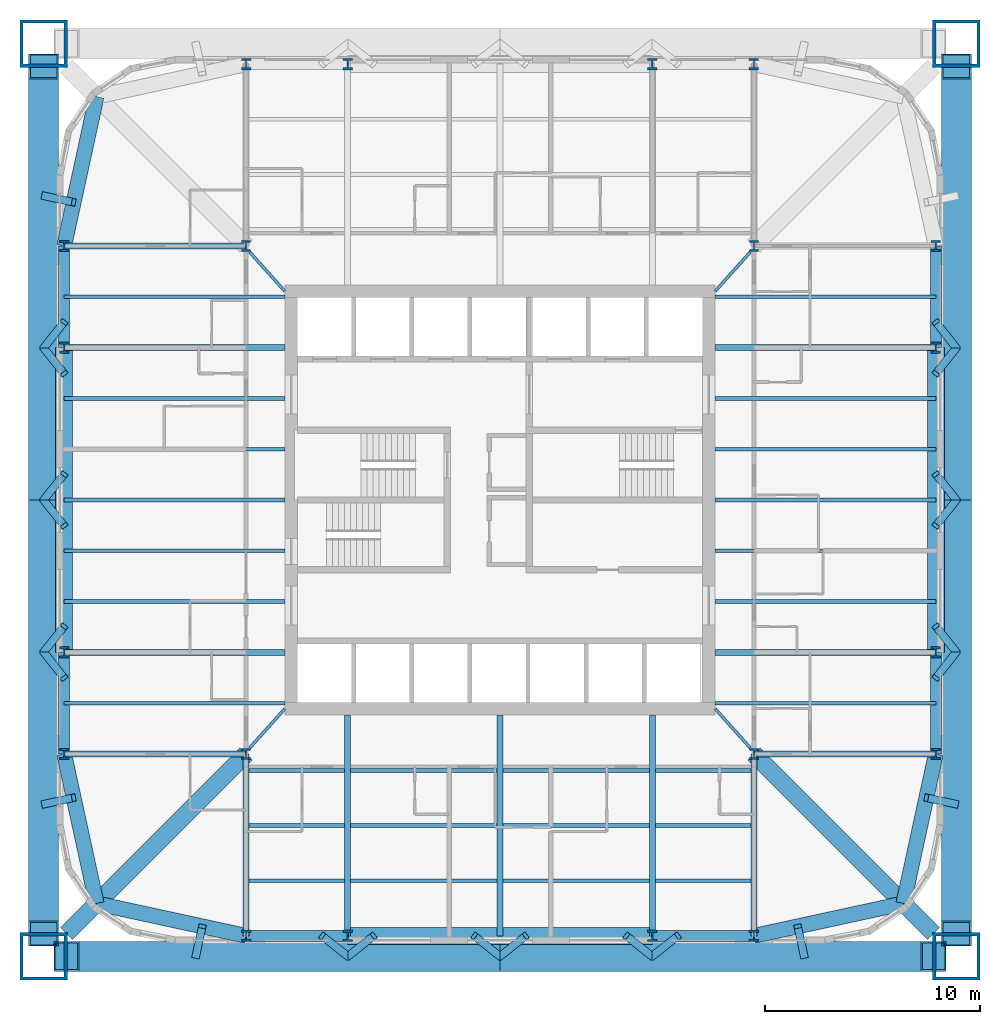
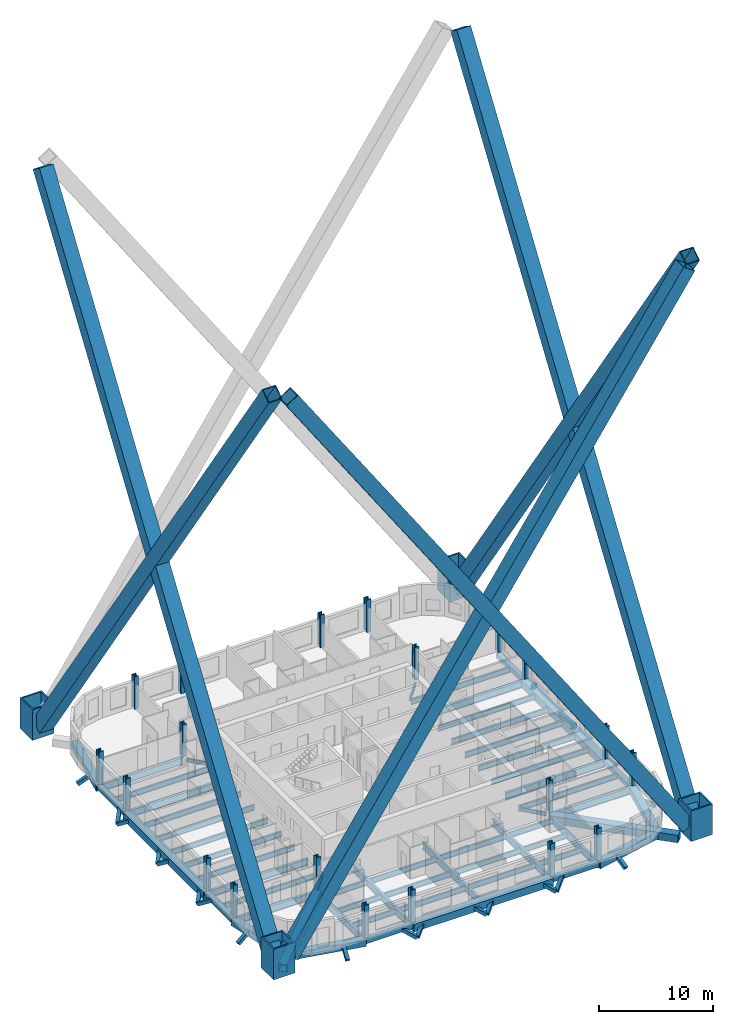
# One storey, part 1 of 9: 81 beams, 24 columns, 6 members.
"""IFC4 building model written with IfcOpenShell, lengths in metres."""

import ifcopenshell
import ifcopenshell.guid

model = None  # the IFC model being written
_history = None  # IfcOwnerHistory: only IFC2X3 demands one
_inside = {}  # id of a spatial element -> (the spatial element, [elements in it])
_under = {}  # id of a project, library or spatial element -> (it, [spatial elements below it])
_declared = {}  # id of a project -> (the project, [libraries it declares])
_typed = {}  # id of a type object -> (the type object, [elements of that type])
_made_of = {}  # id of a material, layer set ... -> (it, [elements and type objects made of it])


def new_model(schema):
    """Start an empty IFC model of exactly this schema.

    Asked for "IFC4X3", IfcOpenShell would pick the latest addendum, in which some entities
    have other attributes; the version numbers below select the first issue.
    IFC2X3 requires an IfcOwnerHistory on every rooted entity: one is made here for all.
    """
    global model, _history
    if schema == "IFC4X3":
        model = ifcopenshell.file(schema_version=(4, 3, 0, 0))
    else:
        model = ifcopenshell.file(schema=schema)
    _inside.clear()
    _under.clear()
    _declared.clear()
    _typed.clear()
    _made_of.clear()
    _history = None
    if model.schema == "IFC2X3":
        org = make("IfcOrganization", Name="unknown")
        user = make(
            "IfcPersonAndOrganization",
            ThePerson=make("IfcPerson", FamilyName="unknown"),
            TheOrganization=org,
        )
        app = make(
            "IfcApplication",
            ApplicationDeveloper=org,
            Version="unknown",
            ApplicationFullName="unknown",
            ApplicationIdentifier="unknown",
        )
        _history = make(
            "IfcOwnerHistory",
            OwningUser=user,
            OwningApplication=app,
            ChangeAction="ADDED",
            CreationDate=0,
        )
    return model


def make(cls, **values):
    """One entity of the class cls with the attributes given. An attribute that is None is left unset."""
    return model.create_entity(
        cls, **{name: value for name, value in values.items() if value is not None}
    )


def rooted(cls, **values):
    """An entity with a GlobalId (a new one), such as an element, a storey or a relation."""
    return make(cls, GlobalId=ifcopenshell.guid.new(), OwnerHistory=_history, **values)


def si_unit(unit_type, name, prefix=None):
    """IfcSIUnit, for example si_unit("LENGTHUNIT", "METRE", prefix="MILLI")."""
    return make("IfcSIUnit", UnitType=unit_type, Prefix=prefix, Name=name)


def assignment(units):
    """IfcUnitAssignment: the units of a project."""
    return None if units is None else make("IfcUnitAssignment", Units=units)


def point(xyz):
    """IfcCartesianPoint."""
    return None if xyz is None else make("IfcCartesianPoint", Coordinates=xyz)


def direction(xyz):
    """IfcDirection."""
    return None if xyz is None else make("IfcDirection", DirectionRatios=xyz)


def frame(location, z_axis=None, x_axis=None):
    """IfcAxis2Placement3D, a coordinate frame: its origin and axes. An axis left out is left unset."""
    return make(
        "IfcAxis2Placement3D",
        Location=point(location),
        Axis=direction(z_axis),
        RefDirection=direction(x_axis),
    )


def frame_2d(location, x_axis=None):
    """IfcAxis2Placement2D, a coordinate frame in the plane: its origin and x axis."""
    return make(
        "IfcAxis2Placement2D", Location=point(location), RefDirection=direction(x_axis)
    )


def origin():
    """The frame at (0, 0, 0) with its axes left unset."""
    return frame((0.0, 0.0, 0.0))


def origin_2d():
    """The frame at (0, 0) in the plane with its x axis left unset."""
    return frame_2d((0.0, 0.0))


def place(relative_to, where):
    """IfcLocalPlacement: puts the frame where relative to a parent placement (None: the world)."""
    return make(
        "IfcLocalPlacement", PlacementRelTo=relative_to, RelativePlacement=where
    )


def context(
    kind, dimensions, precision=None, world=None, true_north=None, identifier=None
):
    """IfcGeometricRepresentationContext, for example the 3D "Model" context."""
    return make(
        "IfcGeometricRepresentationContext",
        ContextIdentifier=identifier,
        ContextType=kind,
        CoordinateSpaceDimension=dimensions,
        Precision=precision,
        WorldCoordinateSystem=world,
        TrueNorth=true_north,
    )


def subcontext(parent, identifier, kind, view, scale=None):
    """IfcGeometricRepresentationSubContext, for example "Body" below "Model"."""
    return make(
        "IfcGeometricRepresentationSubContext",
        ContextIdentifier=identifier,
        ContextType=kind,
        ParentContext=parent,
        TargetScale=scale,
        TargetView=view,
    )


def project(units=None, contexts=None):
    """IfcProject with its units and contexts."""
    return rooted(
        "IfcProject",
        Name="project",
        RepresentationContexts=contexts,
        UnitsInContext=assignment(units),
    )


def spatial(cls, under=None, at=None, **own):
    """A site, building, storey or space (cls), placed at a placement, below another one or the project."""
    s = rooted(cls, ObjectPlacement=at, **own)
    if under is not None:
        _under.setdefault(under.id(), (under, []))[1].append(s)
    return s


def profile(cls, at=None, kind="AREA", **sizes):
    """A parametric profile (cls). Its sizes go by their IFC names, for example OverallWidth=200.0."""
    return make(cls, ProfileType=kind, Position=at, **sizes)


def hollow_rectangle(**sizes):
    """IfcRectangleHollowProfileDef."""
    return profile("IfcRectangleHollowProfileDef", **sizes)


def i_section(**sizes):
    """IfcIShapeProfileDef."""
    return profile("IfcIShapeProfileDef", **sizes)


def extrude(swept, where, along, depth):
    """IfcExtrudedAreaSolid: the profile swept, set in the frame where, extruded along a direction by depth."""
    return make(
        "IfcExtrudedAreaSolid",
        SweptArea=swept,
        Position=where,
        ExtrudedDirection=direction(along),
        Depth=depth,
    )


def clip(a, b, op="DIFFERENCE"):
    """IfcBooleanClippingResult: the solid a cut by the half space b."""
    return make(
        "IfcBooleanClippingResult", Operator=op, FirstOperand=a, SecondOperand=b
    )


def halfspace(plane, agree):
    """IfcHalfSpaceSolid: all space on one side of the plane z = 0 of the frame plane."""
    return make(
        "IfcHalfSpaceSolid",
        BaseSurface=make("IfcPlane", Position=plane),
        AgreementFlag=agree,
    )


def shape(context_of_items, identifier, shape_type, items):
    """IfcShapeRepresentation: the items that make up one representation, for example the "Body"."""
    return make(
        "IfcShapeRepresentation",
        ContextOfItems=context_of_items,
        RepresentationIdentifier=identifier,
        RepresentationType=shape_type,
        Items=items,
    )


def material(Name=None, Category=None):
    """IfcMaterial."""
    return make("IfcMaterial", Name=Name, Category=Category)


def material_profile(
    of_material, cross_section, Name=None, Category=None, Priority=None
):
    """IfcMaterialProfile: a cross section and its material."""
    return make(
        "IfcMaterialProfile",
        Name=Name,
        Material=of_material,
        Profile=cross_section,
        Priority=Priority,
        Category=Category,
    )


def profile_set(profiles, Name=None, composite=None):
    """IfcMaterialProfileSet."""
    return make(
        "IfcMaterialProfileSet",
        Name=Name,
        MaterialProfiles=profiles,
        CompositeProfile=composite,
    )


def made_of(thing, what):
    """Note that an element or type object is made of a material, layer set ...; save() writes the relation."""
    if what is not None:
        _made_of.setdefault(what.id(), (what, []))[1].append(thing)
    return thing


def type_object(cls, material=None, **own):
    """A type object (cls), such as IfcWallType, which elements share."""
    return made_of(rooted(cls, **own), material)


def element(
    cls,
    number,
    at=None,
    inside=None,
    cuts=None,
    type_object=None,
    material=None,
    context=None,
    identifier="Body",
    shape_type=None,
    held_by="IfcProductDefinitionShape",
    body=None,
    shapes=None,
    **own,
):
    """One element of the class cls, such as IfcWall. Its Tag is "e" and its number.

    at: its placement. inside: the storey or other place that contains it. cuts: it is an
    opening in that element (IfcRelVoidsElement). A single representation is given by context,
    identifier, shape_type and body (its items); several are given by shapes. held_by: the class
    of the entity that holds the representations. save() writes the other relations.
    """
    e = rooted(cls, Tag="e%d" % number, ObjectPlacement=at, **own)
    if body is not None:
        shapes = [shape(context, identifier, shape_type, body)]
    if shapes is not None:
        e.Representation = make(held_by, Representations=shapes)
    if inside is not None:
        _inside.setdefault(inside.id(), (inside, []))[1].append(e)
    if cuts is not None:
        rooted(
            "IfcRelVoidsElement", RelatingBuildingElement=cuts, RelatedOpeningElement=e
        )
    if type_object is not None:
        _typed.setdefault(type_object.id(), (type_object, []))[1].append(e)
    return made_of(e, material)


def aggregate(whole, parts):
    """IfcRelAggregates: a whole, such as a stair, and the parts it consists of."""
    return rooted("IfcRelAggregates", RelatingObject=whole, RelatedObjects=parts)


def save(model, path):
    """Write the relations noted so far, then the file.

    IfcRelAggregates (storeys below a building ...), IfcRelContainedInSpatialStructure (elements
    in a storey), IfcRelDefinesByType, IfcRelAssociatesMaterial and IfcRelDeclares: one each for
    every whole, place, type object, material and project.
    """
    for whole, parts in _under.values():
        aggregate(whole, parts)
    for where, things in _inside.values():
        rooted(
            "IfcRelContainedInSpatialStructure",
            RelatedElements=things,
            RelatingStructure=where,
        )
    for kind, things in _typed.values():
        rooted("IfcRelDefinesByType", RelatedObjects=things, RelatingType=kind)
    for what, things in _made_of.values():
        rooted("IfcRelAssociatesMaterial", RelatedObjects=things, RelatingMaterial=what)
    for by, libraries in _declared.values():
        rooted("IfcRelDeclares", RelatingContext=by, RelatedDefinitions=libraries)
    model.write(path)


model = new_model("IFC4")

# Units and contexts
model_context = context("Model", 3, precision=1e-05, world=origin(), true_north=direction((0.0, 1.0)))
body_context = subcontext(model_context, "Body", "Model", "MODEL_VIEW")
ifc_project = project(units=[si_unit("LENGTHUNIT", "METRE"), si_unit("AREAUNIT", "SQUARE_METRE"), si_unit("VOLUMEUNIT", "CUBIC_METRE"), si_unit("PLANEANGLEUNIT", "RADIAN"), si_unit("MASSUNIT", "GRAM", prefix="KILO")], contexts=[model_context])

# Site, building, storey
site_placement = place(None, origin())
site = spatial("IfcSite", under=ifc_project, at=site_placement, CompositionType="ELEMENT")
building_placement = place(site_placement, origin())
building = spatial("IfcBuilding", under=site, at=building_placement, Name="Turquesa Mirador Hotel Tower", CompositionType="ELEMENT")
storey_placement = place(building_placement, frame((0.0, 0.0, 93.39990234375)))
storey = spatial("IfcBuildingStorey", under=building, at=storey_placement, Name="L24", CompositionType="ELEMENT", Elevation=93.39990234375)

# Columns
ifc_material_1 = material(Name="Steel ASTM A992 Grade 50", Category="steel")
ifc_material_profile_1 = material_profile(ifc_material_1, i_section(OverallWidth=0.431884765625, OverallDepth=0.497802734375, WebThickness=0.0556640625, FlangeThickness=0.0888671875, at=origin_2d()), Name="W14X500")
ifc_profile_set_1 = profile_set([ifc_material_profile_1], Name="Steel ASTM A992 Grade 50")
column_type_1 = type_object("IfcColumnType", Name="COLUMN W14X500", PredefinedType="COLUMN", material=ifc_profile_set_1)
for number, where, z_axis, x_axis, name in (
    (1, (43.199951171875, 33.199951171875, 0.0), (0.0, 0.0, 1.0), (1.0, 0.0, 0.0), "COL-L24-K--11.80--11.80"),
    (2, (43.199951171875, 56.800048828125, 0.0), (0.0, 0.0, 1.0), (1.0, 0.0, 0.0), "COL-L24-K--11.80-+11.80"),
    (3, (66.800048828125, 33.199951171875, 0.0), (0.0, 0.0, 1.0), (1.0, 0.0, 0.0), "COL-L24-K-+11.80--11.80"),
    (4, (66.800048828125, 56.800048828125, 0.0), (0.0, 0.0, 1.0), (1.0, 0.0, 0.0), "COL-L24-K-+11.80-+11.80"),
):
    element("IfcColumn", number, at=place(storey_placement, frame(where, z_axis=z_axis, x_axis=x_axis)), inside=storey, type_object=column_type_1, Name=name, PredefinedType="COLUMN", context=body_context, shape_type="SweptSolid", body=[
        extrude(i_section(OverallWidth=0.431884765625, OverallDepth=0.497802734375, WebThickness=0.0556640625, FlangeThickness=0.0888671875, at=origin_2d()), origin(), (0.0, 0.0, 1.0), 3.5),
    ])
ifc_material_2 = material(Name="Steel ASTM A992 Grade 50", Category="steel")
ifc_material_profile_2 = material_profile(ifc_material_2, i_section(OverallWidth=0.44189453125, OverallDepth=0.53076171875, WebThickness=0.06591796875, FlangeThickness=0.105712890625, at=origin_2d()), Name="W14X605")
ifc_profile_set_2 = profile_set([ifc_material_profile_2], Name="Steel ASTM A992 Grade 50")
column_type_2 = type_object("IfcColumnType", Name="COLUMN W14X605", PredefinedType="COLUMN", material=ifc_profile_set_2)
for number, where, z_axis, x_axis, name in (
    (5, (34.75, 33.199951171875, 0.0), (0.0, 0.0, 1.0), (1.0, 0.0, 0.0), "COL-L24-P--20.25--11.80"),
    (6, (34.75, 37.919921875, 0.0), (0.0, 0.0, 1.0), (1.0, 0.0, 0.0), "COL-L24-P--20.25--7.08"),
    (7, (34.75, 52.080078125, 0.0), (0.0, 0.0, 1.0), (1.0, 0.0, 0.0), "COL-L24-P--20.25-+7.08"),
    (8, (34.75, 56.800048828125, 0.0), (0.0, 0.0, 1.0), (1.0, 0.0, 0.0), "COL-L24-P--20.25-+11.80"),
    (9, (43.199951171875, 24.75, 0.0), (0.0, 0.0, 1.0), (1.0, 0.0, 0.0), "COL-L24-P--11.80--20.25"),
    (10, (43.199951171875, 65.25, 0.0), (0.0, 0.0, 1.0), (1.0, 0.0, 0.0), "COL-L24-P--11.80-+20.25"),
    (11, (47.919921875, 24.75, 0.0), (0.0, 0.0, 1.0), (1.0, 0.0, 0.0), "COL-L24-P--7.08--20.25"),
    (12, (47.919921875, 65.25, 0.0), (0.0, 0.0, 1.0), (1.0, 0.0, 0.0), "COL-L24-P--7.08-+20.25"),
    (13, (62.080078125, 24.75, 0.0), (0.0, 0.0, 1.0), (1.0, 0.0, 0.0), "COL-L24-P-+7.08--20.25"),
    (14, (62.080078125, 65.25, 0.0), (0.0, 0.0, 1.0), (1.0, 0.0, 0.0), "COL-L24-P-+7.08-+20.25"),
    (15, (66.800048828125, 24.75, 0.0), (0.0, 0.0, 1.0), (1.0, 0.0, 0.0), "COL-L24-P-+11.80--20.25"),
    (16, (66.800048828125, 65.25, 0.0), (0.0, 0.0, 1.0), (1.0, 0.0, 0.0), "COL-L24-P-+11.80-+20.25"),
    (17, (75.25, 33.199951171875, 0.0), (0.0, 0.0, 1.0), (1.0, 0.0, 0.0), "COL-L24-P-+20.25--11.80"),
    (18, (75.25, 37.919921875, 0.0), (0.0, 0.0, 1.0), (1.0, 0.0, 0.0), "COL-L24-P-+20.25--7.08"),
    (19, (75.25, 52.080078125, 0.0), (0.0, 0.0, 1.0), (1.0, 0.0, 0.0), "COL-L24-P-+20.25-+7.08"),
    (20, (75.25, 56.800048828125, 0.0), (0.0, 0.0, 1.0), (1.0, 0.0, 0.0), "COL-L24-P-+20.25-+11.80"),
):
    element("IfcColumn", number, at=place(storey_placement, frame(where, z_axis=z_axis, x_axis=x_axis)), inside=storey, type_object=column_type_2, Name=name, PredefinedType="COLUMN", context=body_context, shape_type="SweptSolid", body=[
        extrude(i_section(OverallWidth=0.44189453125, OverallDepth=0.53076171875, WebThickness=0.06591796875, FlangeThickness=0.105712890625, at=origin_2d()), origin(), (0.0, 0.0, 1.0), 3.5),
    ])
ifc_material_3 = material(Name="Steel ASTM A514 Grade Q", Category="steel")
ifc_material_profile_3 = material_profile(ifc_material_3, hollow_rectangle(XDim=2.199951171875, YDim=2.199951171875, WallThickness=0.14990234375, at=origin_2d()), Name="BOX2200X2200X150")
ifc_profile_set_3 = profile_set([ifc_material_profile_3], Name="Steel ASTM A514 Grade Q")
column_type_3 = type_object("IfcColumnType", Name="MEGA COLUMN BOX2200X2200X150", PredefinedType="COLUMN", material=ifc_profile_set_3)
for number, where, z_axis, x_axis, name in (
    (21, (76.199951171875, 66.199951171875, 0.0), (0.0, 0.0, 1.0), (1.0, 0.0, 0.0), "Mega column M1"),
    (22, (33.800048828125, 66.199951171875, 0.0), (0.0, 0.0, 1.0), (1.0, 0.0, 0.0), "Mega column M2"),
    (23, (33.800048828125, 23.800048828125, 0.0), (0.0, 0.0, 1.0), (1.0, 0.0, 0.0), "Mega column M3"),
    (24, (76.199951171875, 23.800048828125, 0.0), (0.0, 0.0, 1.0), (1.0, 0.0, 0.0), "Mega column M4"),
):
    element("IfcColumn", number, at=place(storey_placement, frame(where, z_axis=z_axis, x_axis=x_axis)), inside=storey, type_object=column_type_3, Name=name, PredefinedType="COLUMN", context=body_context, shape_type="Clipping", body=[
        clip(extrude(hollow_rectangle(XDim=2.199951171875, YDim=2.199951171875, WallThickness=0.14990234375, at=origin_2d()), origin(), (0.0, 0.0, 1.0), 3.5), halfspace(frame((0.0, 0.0, 0.215576171875), z_axis=(0.0, 0.0, -1.0), x_axis=(1.0, 0.0, 0.0)), False)),
    ])

# Beams
ifc_material_4 = material(Name="Steel ASTM A572 Grade 50", Category="steel")
ifc_material_profile_4 = material_profile(ifc_material_4, hollow_rectangle(XDim=0.5, YDim=0.5, WallThickness=0.031982421875, at=origin_2d()), Name="BOX500X500X32")
ifc_profile_set_4 = profile_set([ifc_material_profile_4], Name="Steel ASTM A572 Grade 50")
beam_type_1 = type_object("IfcBeamType", Name="BEAM BOX500X500X32", PredefinedType="BEAM", material=ifc_profile_set_4)
for number, where, z_axis, x_axis, name in (
    (25, (43.199951171875, 24.75, -0.419921875), (1.0, 0.0, 0.0), (0.0, 1.0, 0.0), "EB-L24-S-L"),
    (26, (62.080078125, 24.75, -0.419921875), (1.0, 0.0, 0.0), (0.0, 1.0, 0.0), "EB-L24-S-R"),
    (27, (75.25, 33.199951171875, -0.419921875), (0.0, 1.0, 0.0), (-1.0, 0.0, 0.0), "EB-L24-E-L"),
    (28, (75.25, 52.080078125, -0.419921875), (0.0, 1.0, 0.0), (-1.0, 0.0, 0.0), "EB-L24-E-R"),
    (29, (34.75, 33.199951171875, -0.419921875), (0.0, 1.0, 0.0), (-1.0, 0.0, 0.0), "EB-L24-W-L"),
    (30, (34.75, 52.080078125, -0.419921875), (0.0, 1.0, 0.0), (-1.0, 0.0, 0.0), "EB-L24-W-R"),
):
    element("IfcBeam", number, at=place(storey_placement, frame(where, z_axis=z_axis, x_axis=x_axis)), inside=storey, type_object=beam_type_1, Name=name, PredefinedType="BEAM", context=body_context, shape_type="SweptSolid", body=[
        extrude(hollow_rectangle(XDim=0.5, YDim=0.5, WallThickness=0.031982421875, at=origin_2d()), origin(), (0.0, 0.0, 1.0), 4.719970703125),
    ])
ifc_material_5 = material(Name="Steel ASTM A572 Grade 50", Category="steel")
ifc_material_profile_5 = material_profile(ifc_material_5, hollow_rectangle(XDim=0.699951171875, YDim=0.699951171875, WallThickness=0.044921875, at=origin_2d()), Name="BOX700X700X45")
ifc_profile_set_5 = profile_set([ifc_material_profile_5], Name="Steel ASTM A572 Grade 50")
beam_type_2 = type_object("IfcBeamType", Name="BEAM BOX700X700X45", PredefinedType="BEAM", material=ifc_profile_set_5)
for number, where, z_axis, x_axis, name in (
    (31, (34.75, 56.800048828125, -0.52001953125), (0.212328336885, 0.977198381781, 0.0), (-0.977198381781, 0.212328336885, 0.0), "KE-L24-2-0"),
    (32, (34.75, 33.199951171875, -0.52001953125), (0.212328336885, -0.977198381781, 0.0), (0.977198381781, 0.212328336885, 0.0), "KE-L24-3-0"),
    (33, (36.25830078125, 26.25830078125, -0.52001953125), (0.977198381781, -0.212328336885, 0.0), (0.212328336885, 0.977198381781, 0.0), "KE-L24-3-1"),
    (34, (75.25, 33.199951171875, -0.52001953125), (-0.212328336885, -0.977198381781, 0.0), (0.977198381781, -0.212328336885, 0.0), "KE-L24-4-0"),
    (35, (73.74169921875, 26.25830078125, -0.52001953125), (-0.977198381781, -0.212328336885, 0.0), (0.212328336885, -0.977198381781, 0.0), "KE-L24-4-1"),
):
    element("IfcBeam", number, at=place(storey_placement, frame(where, z_axis=z_axis, x_axis=x_axis)), inside=storey, type_object=beam_type_2, Name=name, PredefinedType="BEAM", context=body_context, shape_type="SweptSolid", body=[
        extrude(hollow_rectangle(XDim=0.699951171875, YDim=0.699951171875, WallThickness=0.044921875, at=origin_2d()), origin(), (0.0, 0.0, 1.0), 7.103515625),
    ])
ifc_material_6 = material(Name="Steel ASTM A572 Grade 50", Category="steel")
ifc_material_profile_6 = material_profile(ifc_material_6, hollow_rectangle(XDim=0.800048828125, YDim=0.800048828125, WallThickness=0.030029296875, at=origin_2d()), Name="BOX800X800X30")
ifc_profile_set_6 = profile_set([ifc_material_profile_6], Name="Steel ASTM A572 Grade 50")
beam_type_3 = type_object("IfcBeamType", Name="BEAM BOX800X800X30", PredefinedType="BEAM", material=ifc_profile_set_6)
for number, where, z_axis, x_axis, name in (
    (36, (47.919921875, 24.75, -0.56982421875), (1.0, 0.0, 0.0), (0.0, 1.0, 0.0), "EB-L24-S-C"),
    (37, (75.25, 37.919921875, -0.56982421875), (0.0, 1.0, 0.0), (-1.0, 0.0, 0.0), "EB-L24-E-C"),
    (38, (34.75, 37.919921875, -0.56982421875), (0.0, 1.0, 0.0), (-1.0, 0.0, 0.0), "EB-L24-W-C"),
):
    element("IfcBeam", number, at=place(storey_placement, frame(where, z_axis=z_axis, x_axis=x_axis)), inside=storey, type_object=beam_type_3, Name=name, PredefinedType="BEAM", context=body_context, shape_type="SweptSolid", body=[
        extrude(hollow_rectangle(XDim=0.800048828125, YDim=0.800048828125, WallThickness=0.030029296875, at=origin_2d()), origin(), (0.0, 0.0, 1.0), 14.16015625),
    ])
ifc_material_7 = material(Name="Steel ASTM A572 Grade 50", Category="steel")
ifc_material_profile_7 = material_profile(ifc_material_7, hollow_rectangle(XDim=0.800048828125, YDim=0.800048828125, WallThickness=0.050048828125, at=origin_2d()), Name="BOX800X800X50")
ifc_profile_set_7 = profile_set([ifc_material_profile_7], Name="Steel ASTM A572 Grade 50")
beam_type_4 = type_object("IfcBeamType", Name="BEAM BOX800X800X50", PredefinedType="BEAM", material=ifc_profile_set_7)
for number, where, z_axis, x_axis, name in (
    (39, (43.199951171875, 33.199951171875, -0.56982421875), (-0.707106781187, -0.707106781187, 0.0), (0.707106781187, -0.707106781187, 0.0), "KD-L24-3"),
    (40, (66.800048828125, 33.199951171875, -0.56982421875), (0.707106781187, -0.707106781187, 0.0), (0.707106781187, 0.707106781187, 0.0), "KD-L24-4"),
):
    element("IfcBeam", number, at=place(storey_placement, frame(where, z_axis=z_axis, x_axis=x_axis)), inside=storey, type_object=beam_type_4, Name=name, PredefinedType="BEAM", context=body_context, shape_type="SweptSolid", body=[
        extrude(hollow_rectangle(XDim=0.800048828125, YDim=0.800048828125, WallThickness=0.050048828125, at=origin_2d()), origin(), (0.0, 0.0, 1.0), 11.80859375),
    ])
ifc_material_8 = material(Name="Steel ASTM A992 Grade 50", Category="steel")
ifc_material_profile_8 = material_profile(ifc_material_8, i_section(OverallWidth=0.140380859375, OverallDepth=0.40380859375, WebThickness=0.007080078125, FlangeThickness=0.01123046875, at=origin_2d()), Name="W16X31")
ifc_profile_set_8 = profile_set([ifc_material_profile_8], Name="Steel ASTM A992 Grade 50")
beam_type_5 = type_object("IfcBeamType", Name="BEAM W16X31", PredefinedType="BEAM", material=ifc_profile_set_8)
for number, where, z_axis, x_axis, name in (
    (41, (66.626953125, 56.518310546875, -0.371826171875), (-0.66679485947, -0.745241313525, 0.0), (0.745241313525, -0.66679485947, 0.0), "KT-L24-1"),
    (42, (43.373046875, 56.518310546875, -0.371826171875), (0.66679485947, -0.745241313525, 0.0), (0.745241313525, 0.66679485947, 0.0), "KT-L24-2"),
    (43, (43.373046875, 33.481689453125, -0.371826171875), (0.66679485947, 0.745241313525, 0.0), (-0.745241313525, 0.66679485947, 0.0), "KT-L24-3"),
    (44, (66.626953125, 33.481689453125, -0.371826171875), (-0.66679485947, 0.745241313525, 0.0), (-0.745241313525, -0.66679485947, 0.0), "KT-L24-4"),
):
    element("IfcBeam", number, at=place(storey_placement, frame(where, z_axis=z_axis, x_axis=x_axis)), inside=storey, type_object=beam_type_5, Name=name, PredefinedType="BEAM", context=body_context, shape_type="SweptSolid", body=[
        extrude(i_section(OverallWidth=0.140380859375, OverallDepth=0.40380859375, WebThickness=0.007080078125, FlangeThickness=0.01123046875, at=origin_2d()), origin(), (0.0, 0.0, 1.0), 2.43994140625),
    ])
ifc_material_9 = material(Name="Steel ASTM A992 Grade 50", Category="steel")
ifc_material_profile_9 = material_profile(ifc_material_9, i_section(OverallWidth=0.177978515625, OverallDepth=0.599365234375, WebThickness=0.010009765625, FlangeThickness=0.012939453125, at=origin_2d()), Name="W24X55")
ifc_profile_set_9 = profile_set([ifc_material_profile_9], Name="Steel ASTM A992 Grade 50")
beam_type_6 = type_object("IfcBeamType", Name="BEAM W24X55", PredefinedType="BEAM", material=ifc_profile_set_9)
beam_1_placement = place(storey_placement, frame((43.333251953125, 32.43798828125, -0.4697265625), z_axis=(1.0, 0.0, 0.0), x_axis=(0.0, 1.0, 0.0)))
element("IfcBeam", 45, at=beam_1_placement, inside=storey, type_object=beam_type_6, Name="IB-L24-S-1-0", PredefinedType="BEAM", context=body_context, shape_type="SweptSolid", body=[
    extrude(i_section(OverallWidth=0.177978515625, OverallDepth=0.599365234375, WebThickness=0.010009765625, FlangeThickness=0.012939453125, at=origin_2d()), origin(), (0.0, 0.0, 1.0), 4.453369140625),
])
for number, where, z_axis, x_axis, name in (
    (46, (48.053466796875, 32.43798828125, -0.4697265625), (1.0, 0.0, 0.0), (0.0, 1.0, 0.0), "IB-L24-S-1-1"),
    (47, (55.13330078125, 32.43798828125, -0.4697265625), (1.0, 0.0, 0.0), (0.0, 1.0, 0.0), "IB-L24-S-1-2"),
):
    element("IfcBeam", number, at=place(storey_placement, frame(where, z_axis=z_axis, x_axis=x_axis)), inside=storey, type_object=beam_type_6, Name=name, PredefinedType="BEAM", context=body_context, shape_type="SweptSolid", body=[
        extrude(i_section(OverallWidth=0.177978515625, OverallDepth=0.599365234375, WebThickness=0.010009765625, FlangeThickness=0.012939453125, at=origin_2d()), origin(), (0.0, 0.0, 1.0), 6.813232421875),
    ])
for number, where, z_axis, x_axis, name in (
    (48, (62.21337890625, 32.43798828125, -0.4697265625), (1.0, 0.0, 0.0), (0.0, 1.0, 0.0), "IB-L24-S-1-3"),
    (49, (43.333251953125, 29.875, -0.4697265625), (1.0, 0.0, 0.0), (0.0, 1.0, 0.0), "IB-L24-S-2-0"),
):
    element("IfcBeam", number, at=place(storey_placement, frame(where, z_axis=z_axis, x_axis=x_axis)), inside=storey, type_object=beam_type_6, Name=name, PredefinedType="BEAM", context=body_context, shape_type="SweptSolid", body=[
        extrude(i_section(OverallWidth=0.177978515625, OverallDepth=0.599365234375, WebThickness=0.010009765625, FlangeThickness=0.012939453125, at=origin_2d()), origin(), (0.0, 0.0, 1.0), 4.453369140625),
    ])
for number, where, z_axis, x_axis, name in (
    (50, (48.053466796875, 29.875, -0.4697265625), (1.0, 0.0, 0.0), (0.0, 1.0, 0.0), "IB-L24-S-2-1"),
    (51, (55.13330078125, 29.875, -0.4697265625), (1.0, 0.0, 0.0), (0.0, 1.0, 0.0), "IB-L24-S-2-2"),
):
    element("IfcBeam", number, at=place(storey_placement, frame(where, z_axis=z_axis, x_axis=x_axis)), inside=storey, type_object=beam_type_6, Name=name, PredefinedType="BEAM", context=body_context, shape_type="SweptSolid", body=[
        extrude(i_section(OverallWidth=0.177978515625, OverallDepth=0.599365234375, WebThickness=0.010009765625, FlangeThickness=0.012939453125, at=origin_2d()), origin(), (0.0, 0.0, 1.0), 6.813232421875),
    ])
for number, where, z_axis, x_axis, name in (
    (52, (62.21337890625, 29.875, -0.4697265625), (1.0, 0.0, 0.0), (0.0, 1.0, 0.0), "IB-L24-S-2-3"),
    (53, (43.333251953125, 27.31201171875, -0.4697265625), (1.0, 0.0, 0.0), (0.0, 1.0, 0.0), "IB-L24-S-3-0"),
):
    element("IfcBeam", number, at=place(storey_placement, frame(where, z_axis=z_axis, x_axis=x_axis)), inside=storey, type_object=beam_type_6, Name=name, PredefinedType="BEAM", context=body_context, shape_type="SweptSolid", body=[
        extrude(i_section(OverallWidth=0.177978515625, OverallDepth=0.599365234375, WebThickness=0.010009765625, FlangeThickness=0.012939453125, at=origin_2d()), origin(), (0.0, 0.0, 1.0), 4.453369140625),
    ])
for number, where, z_axis, x_axis, name in (
    (54, (48.053466796875, 27.31201171875, -0.4697265625), (1.0, 0.0, 0.0), (0.0, 1.0, 0.0), "IB-L24-S-3-1"),
    (55, (55.13330078125, 27.31201171875, -0.4697265625), (1.0, 0.0, 0.0), (0.0, 1.0, 0.0), "IB-L24-S-3-2"),
):
    element("IfcBeam", number, at=place(storey_placement, frame(where, z_axis=z_axis, x_axis=x_axis)), inside=storey, type_object=beam_type_6, Name=name, PredefinedType="BEAM", context=body_context, shape_type="SweptSolid", body=[
        extrude(i_section(OverallWidth=0.177978515625, OverallDepth=0.599365234375, WebThickness=0.010009765625, FlangeThickness=0.012939453125, at=origin_2d()), origin(), (0.0, 0.0, 1.0), 6.813232421875),
    ])
beam_2_placement = place(storey_placement, frame((62.21337890625, 27.31201171875, -0.4697265625), z_axis=(1.0, 0.0, 0.0), x_axis=(0.0, 1.0, 0.0)))
element("IfcBeam", 56, at=beam_2_placement, inside=storey, type_object=beam_type_6, Name="IB-L24-S-3-3", PredefinedType="BEAM", context=body_context, shape_type="SweptSolid", body=[
    extrude(i_section(OverallWidth=0.177978515625, OverallDepth=0.599365234375, WebThickness=0.010009765625, FlangeThickness=0.012939453125, at=origin_2d()), origin(), (0.0, 0.0, 1.0), 4.453369140625),
])
for number, where, z_axis, x_axis, name in (
    (57, (75.25, 35.56005859375, -0.4697265625), (-1.0, 0.0, 0.0), (0.0, -1.0, 0.0), "BM-L24-E--9.44"),
    (58, (75.25, 40.280029296875, -0.4697265625), (-1.0, 0.0, 0.0), (0.0, -1.0, 0.0), "BM-L24-E--4.72"),
    (59, (75.25, 42.639892578125, -0.4697265625), (-1.0, 0.0, 0.0), (0.0, -1.0, 0.0), "BM-L24-E--2.36"),
    (60, (75.25, 45.0, -0.4697265625), (-1.0, 0.0, 0.0), (0.0, -1.0, 0.0), "BM-L24-E-+0.00"),
    (61, (75.25, 47.360107421875, -0.4697265625), (-1.0, 0.0, 0.0), (0.0, -1.0, 0.0), "BM-L24-E-+2.36"),
    (62, (75.25, 49.719970703125, -0.4697265625), (-1.0, 0.0, 0.0), (0.0, -1.0, 0.0), "BM-L24-E-+4.72"),
    (63, (75.25, 54.43994140625, -0.4697265625), (-1.0, 0.0, 0.0), (0.0, -1.0, 0.0), "BM-L24-E-+9.44"),
    (64, (34.75, 35.56005859375, -0.4697265625), (1.0, 0.0, 0.0), (0.0, 1.0, 0.0), "BM-L24-W--9.44"),
    (65, (34.75, 40.280029296875, -0.4697265625), (1.0, 0.0, 0.0), (0.0, 1.0, 0.0), "BM-L24-W--4.72"),
    (66, (34.75, 42.639892578125, -0.4697265625), (1.0, 0.0, 0.0), (0.0, 1.0, 0.0), "BM-L24-W--2.36"),
    (67, (34.75, 45.0, -0.4697265625), (1.0, 0.0, 0.0), (0.0, 1.0, 0.0), "BM-L24-W-+0.00"),
    (68, (34.75, 47.360107421875, -0.4697265625), (1.0, 0.0, 0.0), (0.0, 1.0, 0.0), "BM-L24-W-+2.36"),
    (69, (34.75, 49.719970703125, -0.4697265625), (1.0, 0.0, 0.0), (0.0, 1.0, 0.0), "BM-L24-W-+4.72"),
    (70, (34.75, 54.43994140625, -0.4697265625), (1.0, 0.0, 0.0), (0.0, 1.0, 0.0), "BM-L24-W-+9.44"),
):
    element("IfcBeam", number, at=place(storey_placement, frame(where, z_axis=z_axis, x_axis=x_axis)), inside=storey, type_object=beam_type_6, Name=name, PredefinedType="BEAM", context=body_context, shape_type="SweptSolid", body=[
        extrude(i_section(OverallWidth=0.177978515625, OverallDepth=0.599365234375, WebThickness=0.010009765625, FlangeThickness=0.012939453125, at=origin_2d()), origin(), (0.0, 0.0, 1.0), 10.25),
    ])
ifc_material_10 = material(Name="Steel ASTM A992 Grade 50", Category="steel")
ifc_material_profile_10 = material_profile(ifc_material_10, i_section(OverallWidth=0.2666015625, OverallDepth=0.7568359375, WebThickness=0.013916015625, FlangeThickness=0.019287109375, at=origin_2d()), Name="W30X108")
ifc_profile_set_10 = profile_set([ifc_material_profile_10], Name="Steel ASTM A992 Grade 50")
beam_type_7 = type_object("IfcBeamType", Name="BEAM W30X108", PredefinedType="BEAM", material=ifc_profile_set_10)
for number, where, z_axis, x_axis, name in (
    (71, (47.919921875, 24.75, -0.54833984375), (0.0, 1.0, 0.0), (-1.0, 0.0, 0.0), "GD-L24-S--7.08"),
    (72, (62.080078125, 24.75, -0.54833984375), (0.0, 1.0, 0.0), (-1.0, 0.0, 0.0), "GD-L24-S-+7.08"),
    (73, (55.0, 24.75, -0.54833984375), (0.0, 1.0, 0.0), (-1.0, 0.0, 0.0), "GD-L24-S-+0.00"),
):
    element("IfcBeam", number, at=place(storey_placement, frame(where, z_axis=z_axis, x_axis=x_axis)), inside=storey, type_object=beam_type_7, Name=name, PredefinedType="BEAM", context=body_context, shape_type="SweptSolid", body=[
        extrude(i_section(OverallWidth=0.2666015625, OverallDepth=0.7568359375, WebThickness=0.013916015625, FlangeThickness=0.019287109375, at=origin_2d()), origin(), (0.0, 0.0, 1.0), 10.25),
    ])
for number, where, z_axis, x_axis, name in (
    (74, (43.199951171875, 24.75, -0.54833984375), (0.0, 1.0, 0.0), (-1.0, 0.0, 0.0), "GK-L24-S--11.80"),
    (75, (66.800048828125, 24.75, -0.54833984375), (0.0, 1.0, 0.0), (-1.0, 0.0, 0.0), "GK-L24-S-+11.80"),
):
    element("IfcBeam", number, at=place(storey_placement, frame(where, z_axis=z_axis, x_axis=x_axis)), inside=storey, type_object=beam_type_7, Name=name, PredefinedType="BEAM", context=body_context, shape_type="SweptSolid", body=[
        extrude(i_section(OverallWidth=0.2666015625, OverallDepth=0.7568359375, WebThickness=0.013916015625, FlangeThickness=0.019287109375, at=origin_2d()), origin(), (0.0, 0.0, 1.0), 8.449951171875),
    ])
for number, where, z_axis, x_axis, name in (
    (76, (75.25, 37.919921875, -0.54833984375), (-1.0, 0.0, 0.0), (0.0, -1.0, 0.0), "GD-L24-E--7.08"),
    (77, (75.25, 52.080078125, -0.54833984375), (-1.0, 0.0, 0.0), (0.0, -1.0, 0.0), "GD-L24-E-+7.08"),
):
    element("IfcBeam", number, at=place(storey_placement, frame(where, z_axis=z_axis, x_axis=x_axis)), inside=storey, type_object=beam_type_7, Name=name, PredefinedType="BEAM", context=body_context, shape_type="SweptSolid", body=[
        extrude(i_section(OverallWidth=0.2666015625, OverallDepth=0.7568359375, WebThickness=0.013916015625, FlangeThickness=0.019287109375, at=origin_2d()), origin(), (0.0, 0.0, 1.0), 10.25),
    ])
beam_3_placement = place(storey_placement, frame((75.25, 33.199951171875, -0.54833984375), z_axis=(-1.0, 0.0, 0.0), x_axis=(0.0, -1.0, 0.0)))
element("IfcBeam", 78, at=beam_3_placement, inside=storey, type_object=beam_type_7, Name="GK-L24-E--11.80", PredefinedType="BEAM", context=body_context, shape_type="SweptSolid", body=[
    extrude(i_section(OverallWidth=0.2666015625, OverallDepth=0.7568359375, WebThickness=0.013916015625, FlangeThickness=0.019287109375, at=origin_2d()), origin(), (0.0, 0.0, 1.0), 8.449951171875),
])
for number, where, z_axis, x_axis, name in (
    (79, (34.75, 37.919921875, -0.54833984375), (1.0, 0.0, 0.0), (0.0, 1.0, 0.0), "GD-L24-W--7.08"),
    (80, (34.75, 52.080078125, -0.54833984375), (1.0, 0.0, 0.0), (0.0, 1.0, 0.0), "GD-L24-W-+7.08"),
):
    element("IfcBeam", number, at=place(storey_placement, frame(where, z_axis=z_axis, x_axis=x_axis)), inside=storey, type_object=beam_type_7, Name=name, PredefinedType="BEAM", context=body_context, shape_type="SweptSolid", body=[
        extrude(i_section(OverallWidth=0.2666015625, OverallDepth=0.7568359375, WebThickness=0.013916015625, FlangeThickness=0.019287109375, at=origin_2d()), origin(), (0.0, 0.0, 1.0), 10.25),
    ])
for number, where, z_axis, x_axis, name in (
    (81, (34.75, 33.199951171875, -0.54833984375), (1.0, 0.0, 0.0), (0.0, 1.0, 0.0), "GK-L24-W--11.80"),
    (82, (34.75, 56.800048828125, -0.54833984375), (1.0, 0.0, 0.0), (0.0, 1.0, 0.0), "GK-L24-W-+11.80"),
):
    element("IfcBeam", number, at=place(storey_placement, frame(where, z_axis=z_axis, x_axis=x_axis)), inside=storey, type_object=beam_type_7, Name=name, PredefinedType="BEAM", context=body_context, shape_type="SweptSolid", body=[
        extrude(i_section(OverallWidth=0.2666015625, OverallDepth=0.7568359375, WebThickness=0.013916015625, FlangeThickness=0.019287109375, at=origin_2d()), origin(), (0.0, 0.0, 1.0), 8.449951171875),
    ])
ifc_material_11 = material(Name="Steel ASTM A500 Grade C", Category="steel")
ifc_material_profile_11 = material_profile(ifc_material_11, hollow_rectangle(XDim=0.355712890625, YDim=0.355712890625, WallThickness=0.0146484375, at=origin_2d()), Name="HSS14X14X5/8")
ifc_profile_set_11 = profile_set([ifc_material_profile_11], Name="Steel ASTM A500 Grade C")
beam_type_8 = type_object("IfcBeamType", Name="BRACE STRUT HSS14X14X5/8", PredefinedType="BEAM", material=ifc_profile_set_11)
beam_4_placement = place(storey_placement, frame((40.86669921875, 23.800048828125, -1.199951171875), z_axis=(0.182140919677, 0.838466156089, 0.513613853467), x_axis=(-0.977208851358, 0.21228014704, 0.0)))
element("IfcBeam", 83, at=beam_4_placement, inside=storey, type_object=beam_type_8, Name="Brace strut", PredefinedType="BEAM", context=body_context, shape_type="SweptSolid", body=[
    extrude(hollow_rectangle(XDim=0.355712890625, YDim=0.355712890625, WallThickness=0.0146484375, at=origin_2d()), origin(), (0.0, 0.0, 1.0), 1.659423828125),
])
for number, where, z_axis, x_axis, name in (
    (84, (47.933349609375, 23.800048828125, -1.199951171875), (-0.684993724285, 0.542280891392, 0.486533691044), (-0.620698858423, -0.784049059149, 0.0), "Brace strut"),
    (85, (47.933349609375, 23.800048828125, -1.199951171875), (0.684993724285, 0.542280891392, 0.486533691044), (-0.620698858423, 0.784049059149, 0.0), "Brace strut"),
    (86, (55.0, 23.800048828125, -1.199951171875), (-0.684993724285, 0.542280891392, 0.486533691044), (-0.620698858423, -0.784049059149, 0.0), "Brace strut"),
    (87, (55.0, 23.800048828125, -1.199951171875), (0.684993724285, 0.542280891392, 0.486533691044), (-0.620698858423, 0.784049059149, 0.0), "Brace strut"),
    (88, (62.066650390625, 23.800048828125, -1.199951171875), (-0.684993724285, 0.542280891392, 0.486533691044), (-0.620698858423, -0.784049059149, 0.0), "Brace strut"),
    (89, (62.066650390625, 23.800048828125, -1.199951171875), (0.684993724285, 0.542280891392, 0.486533691044), (-0.620698858423, 0.784049059149, 0.0), "Brace strut"),
):
    element("IfcBeam", number, at=place(storey_placement, frame(where, z_axis=z_axis, x_axis=x_axis)), inside=storey, type_object=beam_type_8, Name=name, PredefinedType="BEAM", context=body_context, shape_type="SweptSolid", body=[
        extrude(hollow_rectangle(XDim=0.355712890625, YDim=0.355712890625, WallThickness=0.0146484375, at=origin_2d()), origin(), (0.0, 0.0, 1.0), 1.751708984375),
    ])
for number, where, z_axis, x_axis, name in (
    (90, (69.13330078125, 23.800048828125, -1.199951171875), (-0.182140919677, 0.838466156089, 0.513613853467), (-0.977208851358, -0.21228014704, 0.0), "Brace strut"),
    (91, (76.199951171875, 30.86669921875, -1.199951171875), (-0.838466156089, 0.182140919677, 0.513613853467), (-0.21228014704, -0.977208851358, 0.0), "Brace strut"),
):
    element("IfcBeam", number, at=place(storey_placement, frame(where, z_axis=z_axis, x_axis=x_axis)), inside=storey, type_object=beam_type_8, Name=name, PredefinedType="BEAM", context=body_context, shape_type="SweptSolid", body=[
        extrude(hollow_rectangle(XDim=0.355712890625, YDim=0.355712890625, WallThickness=0.0146484375, at=origin_2d()), origin(), (0.0, 0.0, 1.0), 1.659423828125),
    ])
for number, where, z_axis, x_axis, name in (
    (92, (76.199951171875, 37.933349609375, -1.199951171875), (-0.542280891392, -0.684993724285, 0.486533691044), (0.784049059149, -0.620698858423, 0.0), "Brace strut"),
    (93, (76.199951171875, 37.933349609375, -1.199951171875), (-0.542280891392, 0.684993724285, 0.486533691044), (-0.784049059149, -0.620698858423, 0.0), "Brace strut"),
    (94, (76.199951171875, 45.0, -1.199951171875), (-0.542280891392, -0.684993724285, 0.486533691044), (0.784049059149, -0.620698858423, 0.0), "Brace strut"),
    (95, (76.199951171875, 45.0, -1.199951171875), (-0.542280891392, 0.684993724285, 0.486533691044), (-0.784049059149, -0.620698858423, 0.0), "Brace strut"),
    (96, (76.199951171875, 52.066650390625, -1.199951171875), (-0.542280891392, -0.684993724285, 0.486533691044), (0.784049059149, -0.620698858423, 0.0), "Brace strut"),
    (97, (76.199951171875, 52.066650390625, -1.199951171875), (-0.542280891392, 0.684993724285, 0.486533691044), (-0.784049059149, -0.620698858423, 0.0), "Brace strut"),
):
    element("IfcBeam", number, at=place(storey_placement, frame(where, z_axis=z_axis, x_axis=x_axis)), inside=storey, type_object=beam_type_8, Name=name, PredefinedType="BEAM", context=body_context, shape_type="SweptSolid", body=[
        extrude(hollow_rectangle(XDim=0.355712890625, YDim=0.355712890625, WallThickness=0.0146484375, at=origin_2d()), origin(), (0.0, 0.0, 1.0), 1.751708984375),
    ])
beam_5_placement = place(storey_placement, frame((33.800048828125, 30.86669921875, -1.199951171875), z_axis=(0.838466156089, 0.182140919677, 0.513613853467), x_axis=(-0.21228014704, 0.977208851358, 0.0)))
element("IfcBeam", 98, at=beam_5_placement, inside=storey, type_object=beam_type_8, Name="Brace strut", PredefinedType="BEAM", context=body_context, shape_type="SweptSolid", body=[
    extrude(hollow_rectangle(XDim=0.355712890625, YDim=0.355712890625, WallThickness=0.0146484375, at=origin_2d()), origin(), (0.0, 0.0, 1.0), 1.659423828125),
])
for number, where, z_axis, x_axis, name in (
    (99, (33.800048828125, 37.933349609375, -1.199951171875), (0.542280891392, -0.684993724285, 0.486533691044), (0.784049059149, 0.620698858423, 0.0), "Brace strut"),
    (100, (33.800048828125, 37.933349609375, -1.199951171875), (0.542280891392, 0.684993724285, 0.486533691044), (-0.784049059149, 0.620698858423, 0.0), "Brace strut"),
    (101, (33.800048828125, 45.0, -1.199951171875), (0.542280891392, -0.684993724285, 0.486533691044), (0.784049059149, 0.620698858423, 0.0), "Brace strut"),
    (102, (33.800048828125, 45.0, -1.199951171875), (0.542280891392, 0.684993724285, 0.486533691044), (-0.784049059149, 0.620698858423, 0.0), "Brace strut"),
    (103, (33.800048828125, 52.066650390625, -1.199951171875), (0.542280891392, -0.684993724285, 0.486533691044), (0.784049059149, 0.620698858423, 0.0), "Brace strut"),
    (104, (33.800048828125, 52.066650390625, -1.199951171875), (0.542280891392, 0.684993724285, 0.486533691044), (-0.784049059149, 0.620698858423, 0.0), "Brace strut"),
):
    element("IfcBeam", number, at=place(storey_placement, frame(where, z_axis=z_axis, x_axis=x_axis)), inside=storey, type_object=beam_type_8, Name=name, PredefinedType="BEAM", context=body_context, shape_type="SweptSolid", body=[
        extrude(hollow_rectangle(XDim=0.355712890625, YDim=0.355712890625, WallThickness=0.0146484375, at=origin_2d()), origin(), (0.0, 0.0, 1.0), 1.751708984375),
    ])
beam_6_placement = place(storey_placement, frame((33.800048828125, 59.13330078125, -1.199951171875), z_axis=(0.838466156089, -0.182140919677, 0.513613853467), x_axis=(0.21228014704, 0.977208851358, 0.0)))
element("IfcBeam", 105, at=beam_6_placement, inside=storey, type_object=beam_type_8, Name="Brace strut", PredefinedType="BEAM", context=body_context, shape_type="SweptSolid", body=[
    extrude(hollow_rectangle(XDim=0.355712890625, YDim=0.355712890625, WallThickness=0.0146484375, at=origin_2d()), origin(), (0.0, 0.0, 1.0), 1.659423828125),
])

# Members
ifc_material_12 = material(Name="Steel ASTM A572 Grade 50", Category="steel")
ifc_material_profile_12 = material_profile(ifc_material_12, hollow_rectangle(XDim=1.39990234375, YDim=1.39990234375, WallThickness=0.080078125, at=origin_2d()), Name="BOX1400X1400X80")
ifc_profile_set_12 = profile_set([ifc_material_profile_12], Name="Steel ASTM A572 Grade 50")
member_type = type_object("IfcMemberType", Name="MEGA BRACE BOX1400X1400X80", PredefinedType="BRACE", material=ifc_profile_set_12)
for number, where, z_axis, x_axis, name in (
    (106, (34.85009765625, 23.800048828125, 1.560302734375), (0.558340151614, 0.0, 0.829612123282), (0.0, 1.0, 0.0), "Mega brace Z2 S 1"),
    (107, (75.14990234375, 23.800048828125, 1.560302734375), (-0.558340151614, 0.0, 0.829612123282), (0.0, -1.0, 0.0), "Mega brace Z2 S 2"),
    (108, (76.199951171875, 24.85009765625, 1.560302734375), (0.0, 0.558340151614, 0.829612123282), (-1.0, 0.0, 0.0), "Mega brace Z2 E 1"),
    (109, (76.199951171875, 65.14990234375, 1.560302734375), (0.0, -0.558340151614, 0.829612123282), (1.0, 0.0, 0.0), "Mega brace Z2 E 2"),
    (110, (33.800048828125, 24.85009765625, 1.560302734375), (0.0, 0.558340151614, 0.829612123282), (-1.0, 0.0, 0.0), "Mega brace Z2 W 1"),
    (111, (33.800048828125, 65.14990234375, 1.560302734375), (0.0, -0.558340151614, 0.829612123282), (1.0, 0.0, 0.0), "Mega brace Z2 W 2"),
):
    element("IfcMember", number, at=place(storey_placement, frame(where, z_axis=z_axis, x_axis=x_axis)), inside=storey, type_object=member_type, Name=name, PredefinedType="BRACE", context=body_context, shape_type="SweptSolid", body=[
        extrude(hollow_rectangle(XDim=1.39990234375, YDim=1.39990234375, WallThickness=0.080078125, at=origin_2d()), origin(), (0.0, 0.0, 1.0), 72.177978515625),
    ])

save(model, "model.ifc")
